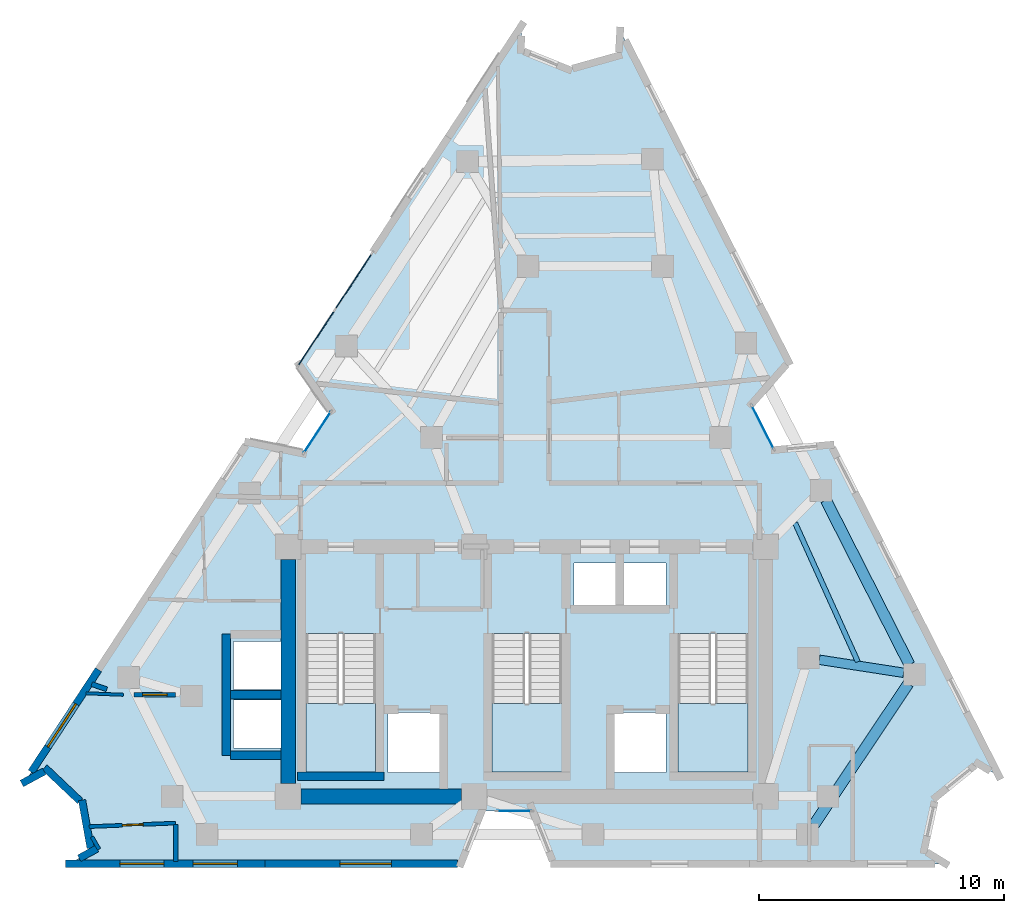
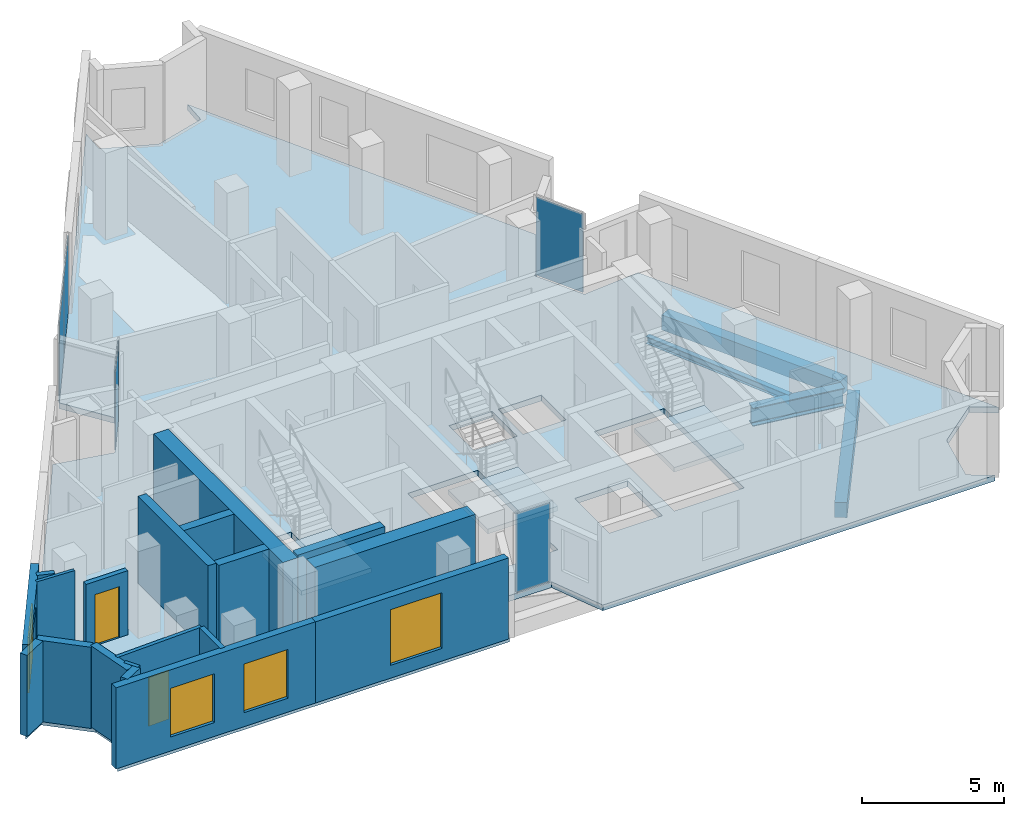
# One storey, part 4 of 8: 19 walls, 5 plates, 4 beams, 4 slabs, 4 windows, 2 doors, 6 openings, 7 elements without a shape of their own.
"""IFC4 building model written with IfcOpenShell, lengths in metres."""

from ifc_helpers import new_model, si_unit, direction, frame, frame_2d, origin, origin_2d, place, context, subcontext, project, spatial, polyline, rectangle, i_section, outline, extrude, material, layer, layer_set, material_profile, profile_set, type_object, element, fill, aggregate, save


model = new_model("IFC4")

# Units and contexts
model_context = context("Model", 3, precision=1e-05, world=origin(), true_north=direction((0.0, 1.0)))
body_context = subcontext(model_context, "Body", "Model", "MODEL_VIEW")
ifc_project = project(units=[si_unit("LENGTHUNIT", "METRE"), si_unit("AREAUNIT", "SQUARE_METRE"), si_unit("VOLUMEUNIT", "CUBIC_METRE"), si_unit("PLANEANGLEUNIT", "RADIAN"), si_unit("MASSUNIT", "GRAM", prefix="KILO")], contexts=[model_context])

# Site, building, storey
site_placement = place(None, origin())
site = spatial("IfcSite", under=ifc_project, at=site_placement, CompositionType="ELEMENT")
building_placement = place(site_placement, origin())
building = spatial("IfcBuilding", under=site, at=building_placement, Name="Almagre Mirador Tower", CompositionType="ELEMENT")
storey_placement = place(building_placement, frame((0.0, 0.0, 240.75)))
storey = spatial("IfcBuildingStorey", under=building, at=storey_placement, Name="L62", CompositionType="ELEMENT", Elevation=240.75)

# Beams
ifc_material_1 = material(Name="Steel ASTM A992 Grade 50", Category="steel")
ifc_material_profile_1 = material_profile(ifc_material_1, i_section(OverallWidth=0.205078125, OverallDepth=0.31005859375, WebThickness=0.009521484375, FlangeThickness=0.016357421875, FilletRadius=0.013916015625, at=origin_2d()), Name="W12X50")
ifc_profile_set_1 = profile_set([ifc_material_profile_1], Name="Steel ASTM A992 Grade 50")
beam_type_1 = type_object("IfcBeamType", Name="BM-JST-W12X50", PredefinedType="JOIST", material=ifc_profile_set_1)
beam_1_placement = place(storey_placement, frame((50.816162109375, 10.050048828125, -0.405029296875), z_axis=(-0.411980949435, 0.91119245898, 0.0), x_axis=(-0.91119245898, -0.411980949435, 0.0)))
element("IfcBeam", 1, at=beam_1_placement, inside=storey, type_object=beam_type_1, Name="L62 secondary floor joist PC05-PC06.2", PredefinedType="JOIST", context=body_context, shape_type="SweptSolid", body=[
    extrude(i_section(OverallWidth=0.205078125, OverallDepth=0.31005859375, WebThickness=0.009521484375, FlangeThickness=0.016357421875, FilletRadius=0.013916015625, at=origin_2d()), origin(), (0.0, 0.0, 1.0), 6.2216796875),
])
ifc_material_2 = material(Name="Precast concrete C50/60", Category="concrete")
ifc_material_profile_2 = material_profile(ifc_material_2, rectangle(XDim=0.449951171875, YDim=0.64990234375, at=origin_2d()), Name="RC450X650")
ifc_profile_set_2 = profile_set([ifc_material_profile_2], Name="Precast concrete C50/60")
beam_type_2 = type_object("IfcBeamType", Name="BM-SPN-RC450X650", PredefinedType="SPANDREL", material=ifc_profile_set_2)
beam_2_placement = place(storey_placement, frame((49.01416015625, 3.3740234375, -0.574951171875), z_axis=(0.555688352968, 0.831390674939, 0.0), x_axis=(-0.831390674939, 0.555688352968, 0.0)))
element("IfcBeam", 2, at=beam_2_placement, inside=storey, type_object=beam_type_2, Name="L62 perimeter spandrel beam PC04-PC05", PredefinedType="SPANDREL", context=body_context, shape_type="SweptSolid", body=[
    extrude(rectangle(XDim=0.449951171875, YDim=0.64990234375, at=origin_2d()), origin(), (0.0, 0.0, 1.0), 6.953125),
])
beam_3_placement = place(storey_placement, frame((52.92431640625, 9.93017578125, -0.574951171875), z_axis=(-0.452920240804, 0.891551039184, 0.0), x_axis=(-0.891551039184, -0.452920240804, 0.0)))
element("IfcBeam", 3, at=beam_3_placement, inside=storey, type_object=beam_type_2, Name="L62 perimeter spandrel beam PC05-PC06", PredefinedType="SPANDREL", context=body_context, shape_type="SweptSolid", body=[
    extrude(rectangle(XDim=0.449951171875, YDim=0.64990234375, at=origin_2d()), origin(), (0.0, 0.0, 1.0), 7.53466796875),
])
ifc_material_3 = material(Name="Steel ASTM A992 Grade 50", Category="steel")
ifc_material_profile_3 = material_profile(ifc_material_3, i_section(OverallWidth=0.384033203125, OverallDepth=0.784912109375, WebThickness=0.019775390625, FlangeThickness=0.033447265625, FilletRadius=0.02392578125, at=origin_2d()), Name="W30X211")
ifc_profile_set_3 = profile_set([ifc_material_profile_3], Name="Steel ASTM A992 Grade 50")
beam_type_3 = type_object("IfcBeamType", Name="BM-STL-W30X211", PredefinedType="BEAM", material=ifc_profile_set_3)
beam_4_placement = place(storey_placement, frame((52.683349609375, 9.597900390625, -0.642578125), z_axis=(-0.988190943166, 0.153227477449, 0.0), x_axis=(-0.153227477449, -0.988190943166, 0.0)))
element("IfcBeam", 4, at=beam_4_placement, inside=storey, type_object=beam_type_3, Name="L62 radial floor girder PC05-MC3", PredefinedType="BEAM", context=body_context, shape_type="SweptSolid", body=[
    extrude(i_section(OverallWidth=0.384033203125, OverallDepth=0.784912109375, WebThickness=0.019775390625, FlangeThickness=0.033447265625, FilletRadius=0.02392578125, at=origin_2d()), origin(), (0.0, 0.0, 1.0), 3.479736328125),
])

# Curtain wall, plate
ifc_material_4 = material(Name="Black anodized aluminium", Category="aluminium")
ifc_layer_1 = layer(ifc_material_4, 0.169921875)
ifc_layer_set_1 = layer_set([ifc_layer_1], Name="Black anodized aluminium")
curtain_wall_type_1 = type_object("IfcCurtainWallType", Name="CW-CRS-SYS", PredefinedType="NOTDEFINED", material=ifc_layer_set_1)
curtain_wall_1_placement = place(storey_placement, origin())
curtain_wall_1 = element("IfcCurtainWall", 5, at=curtain_wall_1_placement, inside=storey, type_object=curtain_wall_type_1, Name="L62 vertical crease curtain wall 01", PredefinedType="NOTDEFINED")
ifc_material_5 = material(Name="Dark solar-control laminated hurricane glass", Category="glass")
ifc_layer_2 = layer(ifc_material_5, 0.028076171875)
ifc_layer_set_2 = layer_set([ifc_layer_2], Name="Dark solar-control laminated hurricane glass")
plate_type_1 = type_object("IfcPlateType", Name="PLT-GLZ-28", PredefinedType="CURTAIN_PANEL", material=ifc_layer_set_2)
plate_1_placement = place(storey_placement, frame((28.7470703125, 19.41943359375, 0.06005859375), z_axis=(0.0, 0.0, 1.0), x_axis=(0.549168341049, 0.835711752454, 0.0)))
plate_1 = element("IfcPlate", 6, at=plate_1_placement, type_object=plate_type_1, Name="CW-4 panel 1.1", PredefinedType="CURTAIN_PANEL", context=body_context, shape_type="SweptSolid", body=[
    extrude(rectangle(XDim=1.970458984375, YDim=0.028076171875, at=origin_2d()), origin(), (0.0, 0.0, 1.0), 3.3798828125),
])
aggregate(curtain_wall_1, [plate_1])

curtain_wall_2_placement = place(storey_placement, origin())
curtain_wall_2 = element("IfcCurtainWall", 7, at=curtain_wall_2_placement, inside=storey, type_object=curtain_wall_type_1, Name="L62 vertical crease curtain wall 03", PredefinedType="NOTDEFINED")
plate_2_placement = place(storey_placement, frame((46.93310546875, 19.62646484375, 0.06005859375), z_axis=(0.0, 0.0, 1.0), x_axis=(0.452756754504, -0.891634073626, 0.0)))
plate_2 = element("IfcPlate", 8, at=plate_2_placement, type_object=plate_type_1, Name="CW-4 panel 1.1", PredefinedType="CURTAIN_PANEL", context=body_context, shape_type="SweptSolid", body=[
    extrude(rectangle(XDim=1.969482421875, YDim=0.028076171875, at=origin_2d()), origin(), (0.0, 0.0, 1.0), 3.3798828125),
])
aggregate(curtain_wall_2, [plate_2])

curtain_wall_3_placement = place(storey_placement, origin())
curtain_wall_3 = element("IfcCurtainWall", 9, at=curtain_wall_3_placement, inside=storey, type_object=curtain_wall_type_1, Name="L62 vertical crease curtain wall 04", PredefinedType="NOTDEFINED")
plate_3_placement = place(storey_placement, frame((36.7900390625, 3.949951171875, 0.06005859375), z_axis=(0.0, 0.0, 1.0), x_axis=(-1.0, 0.0, 0.0)))
plate_3 = element("IfcPlate", 10, at=plate_3_placement, type_object=plate_type_1, Name="CW-4 panel 1.1", PredefinedType="CURTAIN_PANEL", context=body_context, shape_type="SweptSolid", body=[
    extrude(rectangle(XDim=1.389892578125, YDim=0.028076171875, at=origin_2d()), origin(), (0.0, 0.0, 1.0), 3.3798828125),
])
aggregate(curtain_wall_3, [plate_3])

# Curtain wall, plates
ifc_material_6 = material(Name="Black anodized aluminium", Category="aluminium")
ifc_layer_3 = layer(ifc_material_6, 0.199951171875)
ifc_layer_set_3 = layer_set([ifc_layer_3], Name="Black anodized aluminium")
curtain_wall_type_2 = type_object("IfcCurtainWallType", Name="CW-RES-H-SYS", PredefinedType="NOTDEFINED", material=ifc_layer_set_3)
curtain_wall_4_placement = place(storey_placement, origin())
curtain_wall_4 = element("IfcCurtainWall", 11, at=curtain_wall_4_placement, inside=storey, type_object=curtain_wall_type_2, Name="L62 curtain wall run 02", PredefinedType="NOTDEFINED")
ifc_material_7 = material(Name="Dark solar-control laminated hurricane glass", Category="glass")
ifc_layer_4 = layer(ifc_material_7, 0.035888671875)
ifc_layer_set_4 = layer_set([ifc_layer_4], Name="Dark solar-control laminated hurricane glass")
plate_type_2 = type_object("IfcPlateType", Name="PLT-GLZ-36", PredefinedType="CURTAIN_PANEL", material=ifc_layer_set_4)
plate_4_placement = place(storey_placement, frame((28.697021484375, 23.259765625, 0.06494140625), z_axis=(0.0, 0.0, 1.0), x_axis=(0.549062582798, 0.835781239423, 0.0)))
plate_4 = element("IfcPlate", 12, at=plate_4_placement, type_object=plate_type_2, Name="CW-3 panel 1.1", PredefinedType="CURTAIN_PANEL", context=body_context, shape_type="SweptSolid", body=[
    extrude(rectangle(XDim=2.71484375, YDim=0.035888671875, at=origin_2d()), origin(), (0.0, 0.0, 1.0), 3.3701171875),
])
plate_5_placement = place(storey_placement, frame((30.223388671875, 25.583251953125, 0.06494140625), z_axis=(0.0, 0.0, 1.0), x_axis=(0.549062582798, 0.835781239423, 0.0)))
plate_5 = element("IfcPlate", 13, at=plate_5_placement, type_object=plate_type_2, Name="CW-3 panel 2.1", PredefinedType="CURTAIN_PANEL", context=body_context, shape_type="SweptSolid", body=[
    extrude(rectangle(XDim=2.71484375, YDim=0.035888671875, at=origin_2d()), origin(), (0.0, 0.0, 1.0), 3.3701171875),
])
aggregate(curtain_wall_4, [plate_4, plate_5])

# Slab
ifc_material_8 = material(Name="Concrete C45/55", Category="concrete")
ifc_layer_5 = layer(ifc_material_8, 0.25)
ifc_layer_set_5 = layer_set([ifc_layer_5], Name="Concrete C45/55")
slab_type_1 = type_object("IfcSlabType", Name="SLB-FLR-250", PredefinedType="FLOOR", material=ifc_layer_set_5)
slab_1_placement = place(storey_placement, frame((0.0, 0.0, -0.25)))
element("IfcSlab", 14, at=slab_1_placement, inside=storey, type_object=slab_type_1, Name="L62 structural floor slab", PredefinedType="FLOOR", context=body_context, shape_type="SweptSolid", body=[
    extrude(outline(polyline([(16.7958984375, 5.14306640625), (17.70703125, 5.635009765625), (19.158935546875, 4.260009765625), (19.510986328125, 2.291015625), (18.60009765625, 1.800048828125), (34.60009765625, 1.800048828125), (35.455078125, 3.949951171875), (37.544921875, 3.949951171875), (38.39990234375, 1.800048828125), (54.39990234375, 1.800048828125), (53.51806640625, 2.341064453125), (53.985107421875, 4.509033203125), (55.7060546875, 5.907958984375), (56.587890625, 5.365966796875), (49.7109375, 18.906005859375), (47.406005859375, 18.695068359375), (46.4599609375, 20.55810546875), (47.989013671875, 22.2939453125), (41.112060546875, 35.833984375), (41.053955078125, 34.800048828125), (39.011962890625, 34.22802734375), (37.0458984375, 35.02294921875), (37.10400390625, 36.056884765625), (27.992919921875, 22.18798828125), (29.321044921875, 20.29296875), (28.173095703125, 18.5458984375), (25.906982421875, 19.011962890625), (16.7958984375, 5.14306640625)]), holes=[polyline([(43.47509765625, 5.550048828125), (43.47509765625, 11.196044921875), (46.324951171875, 11.196044921875), (46.324951171875, 5.550048828125), (43.47509765625, 5.550048828125)]), polyline([(41.219970703125, 12.320068359375), (41.219970703125, 14.080078125), (42.97998046875, 14.080078125), (42.97998046875, 12.320068359375), (41.219970703125, 12.320068359375)]), polyline([(42.97998046875, 5.52001953125), (40.820068359375, 5.52001953125), (40.820068359375, 7.97998046875), (42.97998046875, 7.97998046875), (42.97998046875, 5.52001953125)]), polyline([(39.219970703125, 12.320068359375), (39.219970703125, 14.080078125), (40.97998046875, 14.080078125), (40.97998046875, 12.320068359375), (39.219970703125, 12.320068359375)]), polyline([(35.875, 5.550048828125), (35.875, 11.196044921875), (38.72509765625, 11.196044921875), (38.72509765625, 5.550048828125), (35.875, 5.550048828125)]), polyline([(33.780029296875, 5.52001953125), (31.6201171875, 5.52001953125), (31.6201171875, 7.97998046875), (33.780029296875, 7.97998046875), (33.780029296875, 5.52001953125)]), polyline([(28.27490234375, 5.550048828125), (28.27490234375, 11.196044921875), (31.125, 11.196044921875), (31.125, 5.550048828125), (28.27490234375, 5.550048828125)]), polyline([(27.3798828125, 6.52001953125), (25.320068359375, 6.52001953125), (25.320068359375, 8.47998046875), (27.3798828125, 8.47998046875), (27.3798828125, 6.52001953125)]), polyline([(27.3798828125, 8.919921875), (25.320068359375, 8.919921875), (25.320068359375, 10.8798828125), (27.3798828125, 10.8798828125), (27.3798828125, 8.919921875)])]), origin(), (0.0, 0.0, 1.0), 0.25),
])

# Stair, slab
ifc_material_9 = material(Name="Concrete C45/55", Category="concrete")
stair_type = type_object("IfcStairType", Name="STR-DL-3750", PredefinedType="HALF_TURN_STAIR", material=ifc_material_9)
stair_1_placement = place(storey_placement, origin())
stair_1 = element("IfcStair", 15, at=stair_1_placement, inside=storey, type_object=stair_type, Name="L62 Protected exit stair ST-1", PredefinedType="HALF_TURN_STAIR")
ifc_material_10 = material(Name="Concrete C45/55", Category="concrete")
ifc_layer_6 = layer(ifc_material_10, 0.199951171875)
ifc_layer_set_6 = layer_set([ifc_layer_6], Name="Concrete C45/55")
slab_type_2 = type_object("IfcSlabType", Name="SLB-LND-200", PredefinedType="LANDING", material=ifc_layer_set_6)
slab_2_placement = place(storey_placement, frame((0.0, 0.0, 1.675048828125)))
slab_2 = element("IfcSlab", 16, at=slab_2_placement, type_object=slab_type_2, Name="ST-1 landing 1", PredefinedType="LANDING", context=body_context, shape_type="SweptSolid", body=[
    extrude(outline(polyline([(28.27490234375, 8.35009765625), (28.27490234375, 5.550048828125), (31.125, 5.550048828125), (31.125, 8.35009765625), (28.27490234375, 8.35009765625)])), origin(), (0.0, 0.0, 1.0), 0.199951171875),
])
aggregate(stair_1, [slab_2])

stair_2_placement = place(storey_placement, origin())
stair_2 = element("IfcStair", 17, at=stair_2_placement, inside=storey, type_object=stair_type, Name="L62 Protected exit stair ST-2", PredefinedType="HALF_TURN_STAIR")
slab_3_placement = place(storey_placement, frame((0.0, 0.0, 1.675048828125)))
slab_3 = element("IfcSlab", 18, at=slab_3_placement, type_object=slab_type_2, Name="ST-2 landing 1", PredefinedType="LANDING", context=body_context, shape_type="SweptSolid", body=[
    extrude(outline(polyline([(35.875, 8.35009765625), (35.875, 5.550048828125), (38.72509765625, 5.550048828125), (38.72509765625, 8.35009765625), (35.875, 8.35009765625)])), origin(), (0.0, 0.0, 1.0), 0.199951171875),
])
aggregate(stair_2, [slab_3])

stair_3_placement = place(storey_placement, origin())
stair_3 = element("IfcStair", 19, at=stair_3_placement, inside=storey, type_object=stair_type, Name="L62 Protected exit stair ST-3", PredefinedType="HALF_TURN_STAIR")
slab_4_placement = place(storey_placement, frame((0.0, 0.0, 1.675048828125)))
slab_4 = element("IfcSlab", 20, at=slab_4_placement, type_object=slab_type_2, Name="ST-3 landing 1", PredefinedType="LANDING", context=body_context, shape_type="SweptSolid", body=[
    extrude(outline(polyline([(43.47509765625, 8.35009765625), (43.47509765625, 5.550048828125), (46.324951171875, 5.550048828125), (46.324951171875, 8.35009765625), (43.47509765625, 8.35009765625)])), origin(), (0.0, 0.0, 1.0), 0.199951171875),
])
aggregate(stair_3, [slab_4])

# Wall, opening, window
ifc_material_11 = material(Name="Precast concrete C50/60", Category="concrete")
ifc_layer_7 = layer(ifc_material_11, 0.300048828125)
ifc_layer_set_7 = layer_set([ifc_layer_7], Name="Precast concrete C50/60")
wall_type_1 = type_object("IfcWallType", Name="WAL-EXT-300", PredefinedType="SOLIDWALL", material=ifc_layer_set_7)
wall_1_placement = place(storey_placement, frame((34.465087890625, 1.800048828125, 0.0), z_axis=(0.0, 0.0, 1.0), x_axis=(-1.0, 0.0, 0.0)))
wall_1 = element("IfcWall", 21, at=wall_1_placement, inside=storey, type_object=wall_type_1, Name="L62 expressed almagre precast frame wall 23", PredefinedType="SOLIDWALL", context=body_context, shape_type="SweptSolid", body=[
    extrude(rectangle(XDim=7.864990234375, YDim=0.300048828125, at=frame_2d((3.9326171875, 0.0))), origin(), (0.0, 0.0, 1.0), 3.5),
])
opening_1_placement = place(wall_1_placement, frame((2.699951171875, 0.0, 0.550048828125)))
opening_1 = element("IfcOpeningElement", 22, at=opening_1_placement, cuts=wall_1, Name="Opening WN-05", PredefinedType="OPENING", context=body_context, shape_type="SweptSolid", body=[
    extrude(rectangle(XDim=2.10009765625, YDim=2.39990234375, at=frame_2d((1.050048828125, 1.199951171875))), frame((0.0, 0.159902, 0.0), z_axis=(0.0, -1.0, 0.0), x_axis=(1.0, 0.0, 0.0)), (0.0, 0.0, 1.0), 0.320049),
])
ifc_material_12 = material(Name="Dark solar-control laminated hurricane glass", Category="glass")
window_type_1 = type_object("IfcWindowType", Name="WIN-2100X2400", PartitioningType="DOUBLE_PANEL_VERTICAL", PredefinedType="WINDOW", material=ifc_material_12)
window_1_placement = place(opening_1_placement, origin())
window_1 = element("IfcWindow", 23, at=window_1_placement, inside=storey, type_object=window_type_1, Name="L62 recessed hurricane window L62-UB-ST", OverallHeight=2.39990234375, OverallWidth=2.10009765625, PartitioningType="SINGLE_PANEL", PredefinedType="WINDOW", context=body_context, shape_type="SweptSolid", body=[
    extrude(rectangle(XDim=2.10009765625, YDim=2.39990234375, at=frame_2d((1.050048828125, 1.199951171875))), frame((0.0, 0.030029296875, 0.0), z_axis=(0.0, -1.0, 0.0), x_axis=(1.0, 0.0, 0.0)), (0.0, 0.0, 1.0), 0.06005859375),
])
fill(opening_1, window_1)

# Wall, openings, windows
wall_2_placement = place(storey_placement, frame((26.60009765625, 1.800048828125, 0.0), z_axis=(0.0, 0.0, 1.0), x_axis=(-1.0, 0.0, 0.0)))
wall_2 = element("IfcWall", 24, at=wall_2_placement, inside=storey, type_object=wall_type_1, Name="L62 expressed almagre precast frame wall 24", PredefinedType="SOLIDWALL", context=body_context, shape_type="SweptSolid", body=[
    extrude(rectangle(XDim=8.14013671875, YDim=0.300048828125, at=frame_2d((4.070068359375, 0.0))), origin(), (0.0, 0.0, 1.0), 3.5),
])
opening_2_placement = place(wall_2_placement, frame((4.125, 0.0, 0.60009765625)))
opening_2 = element("IfcOpeningElement", 25, at=opening_2_placement, cuts=wall_2, Name="Opening WN-01", PredefinedType="OPENING", context=body_context, shape_type="SweptSolid", body=[
    extrude(rectangle(XDim=1.800048828125, YDim=2.10009765625, at=frame_2d((0.89990234375, 1.050048828125))), frame((0.0, 0.159902, 0.0), z_axis=(0.0, -1.0, 0.0), x_axis=(1.0, 0.0, 0.0)), (0.0, 0.0, 1.0), 0.320049),
])
opening_3_placement = place(wall_2_placement, frame((1.125, 0.0, 0.60009765625)))
opening_3 = element("IfcOpeningElement", 26, at=opening_3_placement, cuts=wall_2, Name="Opening WN-01", PredefinedType="OPENING", context=body_context, shape_type="SweptSolid", body=[
    extrude(rectangle(XDim=1.800048828125, YDim=2.10009765625, at=frame_2d((0.89990234375, 1.050048828125))), frame((0.0, 0.159902, 0.0), z_axis=(0.0, -1.0, 0.0), x_axis=(1.0, 0.0, 0.0)), (0.0, 0.0, 1.0), 0.320049),
])
ifc_material_13 = material(Name="Dark solar-control laminated hurricane glass", Category="glass")
window_type_2 = type_object("IfcWindowType", Name="WIN-1800X2100", PartitioningType="DOUBLE_PANEL_VERTICAL", PredefinedType="WINDOW", material=ifc_material_13)
window_2_placement = place(opening_2_placement, origin())
window_2 = element("IfcWindow", 27, at=window_2_placement, inside=storey, type_object=window_type_2, Name="L62 recessed hurricane window L62-UA-BT", OverallHeight=2.10009765625, OverallWidth=1.800048828125, PartitioningType="SINGLE_PANEL", PredefinedType="WINDOW", context=body_context, shape_type="SweptSolid", body=[
    extrude(rectangle(XDim=1.800048828125, YDim=2.10009765625, at=frame_2d((0.89990234375, 1.050048828125))), frame((0.0, 0.030029296875, 0.0), z_axis=(0.0, -1.0, 0.0), x_axis=(1.0, 0.0, 0.0)), (0.0, 0.0, 1.0), 0.06005859375),
])
fill(opening_2, window_2)
window_3_placement = place(opening_3_placement, origin())
window_3 = element("IfcWindow", 28, at=window_3_placement, inside=storey, type_object=window_type_2, Name="L62 recessed hurricane window L62-UB-BT", OverallHeight=2.10009765625, OverallWidth=1.800048828125, PartitioningType="SINGLE_PANEL", PredefinedType="WINDOW", context=body_context, shape_type="SweptSolid", body=[
    extrude(rectangle(XDim=1.800048828125, YDim=2.10009765625, at=frame_2d((0.89990234375, 1.050048828125))), frame((0.0, 0.030029296875, 0.0), z_axis=(0.0, -1.0, 0.0), x_axis=(1.0, 0.0, 0.0)), (0.0, 0.0, 1.0), 0.06005859375),
])
fill(opening_3, window_3)

# Walls
wall_3_placement = place(storey_placement, frame((19.018310546875, 2.025390625, 0.0), z_axis=(0.0, 0.0, 1.0), x_axis=(0.880196276444, 0.474609855496, 0.0)))
element("IfcWall", 29, at=wall_3_placement, inside=storey, type_object=wall_type_1, Name="L62 expressed almagre precast frame wall 25", PredefinedType="SOLIDWALL", context=body_context, shape_type="SweptSolid", body=[
    extrude(rectangle(XDim=0.82763671875, YDim=0.300048828125, at=frame_2d((0.413818359375, 0.0))), origin(), (0.0, 0.0, 1.0), 3.5),
])
wall_4_placement = place(storey_placement, frame((19.484619140625, 2.438720703125, 0.0), z_axis=(0.0, 0.0, 1.0), x_axis=(-0.175926512458, 0.984403302623, 0.0)))
element("IfcWall", 30, at=wall_4_placement, inside=storey, type_object=wall_type_1, Name="L62 expressed almagre precast frame wall 26", PredefinedType="SOLIDWALL", context=body_context, shape_type="SweptSolid", body=[
    extrude(rectangle(XDim=1.989990234375, YDim=0.300048828125, at=frame_2d((0.9951171875, 0.0))), origin(), (0.0, 0.0, 1.0), 3.5),
])
wall_5_placement = place(storey_placement, frame((19.0537109375, 4.359619140625, 0.0), z_axis=(0.0, 0.0, 1.0), x_axis=(-0.726119894398, 0.68756810496, 0.0)))
element("IfcWall", 31, at=wall_5_placement, inside=storey, type_object=wall_type_1, Name="L62 expressed almagre precast frame wall 27", PredefinedType="SOLIDWALL", context=body_context, shape_type="SweptSolid", body=[
    extrude(rectangle(XDim=1.994873046875, YDim=0.300048828125, at=frame_2d((0.99755859375, 0.0))), origin(), (0.0, 0.0, 1.0), 3.5),
])
wall_6_placement = place(storey_placement, frame((17.592529296875, 5.5732421875, 0.0), z_axis=(0.0, 0.0, 1.0), x_axis=(-0.879825313212, -0.475297189378, 0.0)))
element("IfcWall", 32, at=wall_6_placement, inside=storey, type_object=wall_type_1, Name="L62 expressed almagre precast frame wall 28", PredefinedType="SOLIDWALL", context=body_context, shape_type="SweptSolid", body=[
    extrude(rectangle(XDim=1.04541015625, YDim=0.300048828125, at=frame_2d((0.522705078125, 0.0))), origin(), (0.0, 0.0, 1.0), 3.5),
])

# Wall, opening, window
wall_7_placement = place(storey_placement, frame((17.062255859375, 5.54833984375, 0.0), z_axis=(0.0, 0.0, 1.0), x_axis=(0.549053158856, 0.835787430361, 0.0)))
wall_7 = element("IfcWall", 33, at=wall_7_placement, inside=storey, type_object=wall_type_1, Name="L62 expressed almagre precast frame wall 29", PredefinedType="SOLIDWALL", context=body_context, shape_type="SweptSolid", body=[
    extrude(rectangle(XDim=4.999755859375, YDim=0.300048828125, at=frame_2d((2.5, 0.0))), origin(), (0.0, 0.0, 1.0), 3.5),
])
opening_4_placement = place(wall_7_placement, frame((1.22509765625, 0.0, 0.550048828125)))
opening_4 = element("IfcOpeningElement", 34, at=opening_4_placement, cuts=wall_7, Name="Opening WN-05", PredefinedType="OPENING", context=body_context, shape_type="SweptSolid", body=[
    extrude(rectangle(XDim=2.10009765625, YDim=2.39990234375, at=frame_2d((1.050048828125, 1.199951171875))), frame((0.0, 0.159902, 0.0), z_axis=(0.0, -1.0, 0.0), x_axis=(1.0, 0.0, 0.0)), (0.0, 0.0, 1.0), 0.320049),
])
window_4_placement = place(opening_4_placement, origin())
window_4 = element("IfcWindow", 35, at=window_4_placement, inside=storey, type_object=window_type_1, Name="L62 recessed hurricane window L62-UA-KT", OverallHeight=2.39990234375, OverallWidth=2.10009765625, PartitioningType="SINGLE_PANEL", PredefinedType="WINDOW", context=body_context, shape_type="SweptSolid", body=[
    extrude(rectangle(XDim=2.10009765625, YDim=2.39990234375, at=frame_2d((1.050048828125, 1.199951171875))), frame((0.0, 0.030029296875, 0.0), z_axis=(0.0, -1.0, 0.0), x_axis=(1.0, 0.0, 0.0)), (0.0, 0.0, 1.0), 0.06005859375),
])
fill(opening_4, window_4)

# Wall
ifc_material_14 = material(Name="Gypsum acoustic stud partition", Category="other")
ifc_layer_8 = layer(ifc_material_14, 0.125)
ifc_layer_set_8 = layer_set([ifc_layer_8], Name="Gypsum acoustic stud partition")
wall_type_2 = type_object("IfcWallType", Name="WAL-PRT-125-UTL", PredefinedType="PARTITIONING", material=ifc_layer_set_8)
wall_8_placement = place(storey_placement, frame((20.820068359375, 8.699951171875, 0.0), z_axis=(0.0, 0.0, 1.0), x_axis=(-0.999136974993, 0.041536793353, 0.0)))
element("IfcWall", 36, at=wall_8_placement, inside=storey, type_object=wall_type_2, Name="L62 interior partition 063", PredefinedType="PARTITIONING", context=body_context, shape_type="SweptSolid", body=[
    extrude(rectangle(XDim=1.516357421875, YDim=0.125, at=frame_2d((0.75830078125, 0.0))), origin(), (0.0, 0.0, 1.0), 3.5),
])

# Wall, opening, door
ifc_material_15 = material(Name="Gypsum acoustic stud partition", Category="other")
ifc_layer_9 = layer(ifc_material_15, 0.14990234375)
ifc_layer_set_9 = layer_set([ifc_layer_9], Name="Gypsum acoustic stud partition")
wall_type_3 = type_object("IfcWallType", Name="WAL-PRT-150-STD", PredefinedType="PARTITIONING", material=ifc_layer_set_9)
wall_9_placement = place(storey_placement, frame((19.427978515625, 3.31591796875, 0.0), z_axis=(0.0, 0.0, 1.0), x_axis=(0.999169430966, 0.040748597793, 0.0)))
wall_9 = element("IfcWall", 37, at=wall_9_placement, inside=storey, type_object=wall_type_3, Name="L62 interior partition 017", PredefinedType="PARTITIONING", context=body_context, shape_type="SweptSolid", body=[
    extrude(rectangle(XDim=3.534912109375, YDim=0.14990234375, at=frame_2d((1.767578125, 0.0))), origin(), (0.0, 0.0, 1.0), 3.5),
])
opening_5_placement = place(wall_9_placement, frame((1.3525390625, 0.0, 0.0)))
opening_5 = element("IfcOpeningElement", 38, at=opening_5_placement, cuts=wall_9, Name="Opening UD-04", PredefinedType="OPENING", context=body_context, shape_type="SweptSolid", body=[
    extrude(rectangle(XDim=0.85009765625, YDim=2.10009765625, at=frame_2d((0.425048828125, 1.050048828125))), frame((0.0, 0.084951, 0.0), z_axis=(0.0, -1.0, 0.0), x_axis=(1.0, 0.0, 0.0)), (0.0, 0.0, 1.0), 0.169902),
])
ifc_material_16 = material(Name="Moisture-resistant oak timber", Category="wood")
door_type_1 = type_object("IfcDoorType", Name="DOR-UNR-850X2100", OperationType="NOTDEFINED", PredefinedType="DOOR", material=ifc_material_16)
door_1_placement = place(opening_5_placement, origin())
door_1 = element("IfcDoor", 39, at=door_1_placement, inside=storey, type_object=door_type_1, Name="DR-1915 L62 interior door L62-UA-ST to L62-UA-BT", OperationType="SINGLE_SWING_RIGHT", OverallHeight=2.10009765625, OverallWidth=0.85009765625, PredefinedType="DOOR", context=body_context, shape_type="SweptSolid", body=[
    extrude(rectangle(XDim=0.85009765625, YDim=2.10009765625, at=frame_2d((0.425048828125, 1.050048828125))), frame((0.0, 0.02490234375, 0.0), z_axis=(0.0, -1.0, 0.0), x_axis=(1.0, 0.0, 0.0)), (0.0, 0.0, 1.0), 0.050048828125),
])
fill(opening_5, door_1)

# Walls
wall_10_placement = place(storey_placement, frame((19.535888671875, 2.902099609375, 0.0), z_axis=(0.0, 0.0, 1.0), x_axis=(0.501427298818, -0.865199782709, 0.0)))
element("IfcWall", 40, at=wall_10_placement, inside=storey, type_object=wall_type_3, Name="L62 interior partition 068", PredefinedType="PARTITIONING", context=body_context, shape_type="SweptSolid", body=[
    extrude(rectangle(XDim=0.590576171875, YDim=0.14990234375, at=frame_2d((0.29541015625, 0.0))), origin(), (0.0, 0.0, 1.0), 3.5),
])
ifc_material_17 = material(Name="Gypsum acoustic stud partition", Category="other")
ifc_layer_10 = layer(ifc_material_17, 0.199951171875)
ifc_layer_set_10 = layer_set([ifc_layer_10], Name="Gypsum acoustic stud partition")
wall_type_4 = type_object("IfcWallType", Name="WAL-PRT-200-EI60", PredefinedType="PARTITIONING", material=ifc_layer_set_10)
wall_11_placement = place(storey_placement, frame((20.14892578125, 8.924560546875, 0.0), z_axis=(0.0, 0.0, 1.0), x_axis=(-0.946606200233, 0.322392155117, 0.0)))
element("IfcWall", 41, at=wall_11_placement, inside=storey, type_object=wall_type_4, Name="L62 interior partition 019", PredefinedType="PARTITIONING", context=body_context, shape_type="SweptSolid", body=[
    extrude(rectangle(XDim=0.65283203125, YDim=0.199951171875, at=frame_2d((0.326416015625, 0.0))), origin(), (0.0, 0.0, 1.0), 3.5),
])

# Wall, opening, door
wall_12_placement = place(storey_placement, frame((22.9599609375, 8.699951171875, 0.0), z_axis=(0.0, 0.0, 1.0), x_axis=(-1.0, 0.0, 0.0)))
wall_12 = element("IfcWall", 42, at=wall_12_placement, inside=storey, type_object=wall_type_4, Name="L62 interior partition 020", PredefinedType="PARTITIONING", context=body_context, shape_type="SweptSolid", body=[
    extrude(rectangle(XDim=1.699951171875, YDim=0.199951171875, at=frame_2d((0.85009765625, 0.0))), origin(), (0.0, 0.0, 1.0), 2.763916015625),
])
opening_6_placement = place(wall_12_placement, frame((0.35009765625, 0.0, 0.0)))
opening_6 = element("IfcOpeningElement", 43, at=opening_6_placement, cuts=wall_12, Name="Opening ID-01", PredefinedType="OPENING", context=body_context, shape_type="SweptSolid", body=[
    extrude(rectangle(XDim=1.0, YDim=2.199951171875, at=frame_2d((0.5, 1.10009765625))), frame((0.0, 0.110098, 0.0), z_axis=(0.0, -1.0, 0.0), x_axis=(1.0, 0.0, 0.0)), (0.0, 0.0, 1.0), 0.219951),
])
ifc_material_18 = material(Name="Fire-rated walnut timber", Category="wood")
door_type_2 = type_object("IfcDoorType", Name="DOR-FD60-1000X2200", OperationType="NOTDEFINED", PredefinedType="DOOR", material=ifc_material_18)
door_2_placement = place(opening_6_placement, origin())
door_2 = element("IfcDoor", 44, at=door_2_placement, inside=storey, type_object=door_type_2, Name="DR-1924 L62 interior door L62-UA-ST to L62-UE-KT", OperationType="SINGLE_SWING_LEFT", OverallHeight=2.199951171875, OverallWidth=1.0, PredefinedType="DOOR", context=body_context, shape_type="SweptSolid", body=[
    extrude(rectangle(XDim=1.0, YDim=2.199951171875, at=frame_2d((0.5, 1.10009765625))), frame((0.0, 0.02490234375, 0.0), z_axis=(0.0, -1.0, 0.0), x_axis=(1.0, 0.0, 0.0)), (0.0, 0.0, 1.0), 0.050048828125),
])
fill(opening_6, door_2)

# Walls
wall_13_placement = place(storey_placement, frame((22.9599609375, 1.89990234375, 0.0), z_axis=(0.0, 0.0, 1.0), x_axis=(0.0, 1.0, 0.0)))
element("IfcWall", 45, at=wall_13_placement, inside=storey, type_object=wall_type_4, Name="L62 interior partition 022", PredefinedType="PARTITIONING", context=body_context, shape_type="SweptSolid", body=[
    extrude(rectangle(XDim=1.5, YDim=0.199951171875, at=frame_2d((0.75, 0.0))), origin(), (0.0, 0.0, 1.0), 3.5),
])
ifc_material_19 = material(Name="Concrete C60/75", Category="concrete")
ifc_layer_11 = layer(ifc_material_19, 0.35009765625)
ifc_layer_set_11 = layer_set([ifc_layer_11], Name="Concrete C60/75")
wall_type_5 = type_object("IfcWallType", Name="WAL-SHF-350", PredefinedType="SOLIDWALL", material=ifc_layer_set_11)
wall_14_placement = place(storey_placement, frame((27.925048828125, 5.375, 0.0), z_axis=(0.0, 0.0, 1.0), x_axis=(1.0, 0.0, 0.0)))
element("IfcWall", 46, at=wall_14_placement, inside=storey, type_object=wall_type_5, Name="L62 shaft wall ST1-S", PredefinedType="SOLIDWALL", context=body_context, shape_type="SweptSolid", body=[
    extrude(rectangle(XDim=3.550048828125, YDim=0.35009765625, at=frame_2d((1.77490234375, 0.0))), origin(), (0.0, 0.0, 1.0), 3.75),
])
wall_15_placement = place(storey_placement, frame((25.02490234375, 6.22509765625, 0.0), z_axis=(0.0, 0.0, 1.0), x_axis=(0.0, 1.0, 0.0)))
element("IfcWall", 47, at=wall_15_placement, inside=storey, type_object=wall_type_5, Name="L62 shaft wall OL-W", PredefinedType="SOLIDWALL", context=body_context, shape_type="SweptSolid", body=[
    extrude(rectangle(XDim=4.949951171875, YDim=0.35009765625, at=frame_2d((2.47509765625, 0.0))), origin(), (0.0, 0.0, 1.0), 3.75),
])
for number, where, z_axis, x_axis, name in (
    (48, (25.199951171875, 6.22509765625, 0.0), (0.0, 0.0, 1.0), (1.0, 0.0, 0.0), "L62 shaft wall OL-S"),
    (49, (25.199951171875, 8.699951171875, 0.0), (0.0, 0.0, 1.0), (1.0, 0.0, 0.0), "L62 shaft wall OL-M"),
):
    element("IfcWall", number, at=place(storey_placement, frame(where, z_axis=z_axis, x_axis=x_axis)), inside=storey, type_object=wall_type_5, Name=name, PredefinedType="SOLIDWALL", context=body_context, shape_type="SweptSolid", body=[
        extrude(rectangle(XDim=2.050048828125, YDim=0.35009765625, at=frame_2d((1.02490234375, 0.0))), origin(), (0.0, 0.0, 1.0), 3.75),
    ])
ifc_material_20 = material(Name="Concrete C60/75", Category="concrete")
ifc_layer_12 = layer(ifc_material_20, 0.60009765625)
ifc_layer_set_12 = layer_set([ifc_layer_12], Name="Concrete C60/75")
wall_type_6 = type_object("IfcWallType", Name="WAL-SHR-600", PredefinedType="SHEAR", material=ifc_layer_set_12)
wall_16_placement = place(storey_placement, frame((28.074951171875, 4.550048828125, 0.0), z_axis=(0.0, 0.0, 1.0), x_axis=(1.0, 0.0, 0.0)))
element("IfcWall", 50, at=wall_16_placement, inside=storey, type_object=wall_type_6, Name="L62 core shear wall S1", PredefinedType="SHEAR", context=body_context, shape_type="SweptSolid", body=[
    extrude(rectangle(XDim=6.550048828125, YDim=0.60009765625, at=frame_2d((3.27490234375, 0.0))), origin(), (0.0, 0.0, 1.0), 3.75),
])
wall_17_placement = place(storey_placement, frame((27.550048828125, 5.074951171875, 0.0), z_axis=(0.0, 0.0, 1.0), x_axis=(0.0, 1.0, 0.0)))
element("IfcWall", 51, at=wall_17_placement, inside=storey, type_object=wall_type_6, Name="L62 core shear wall W1", PredefinedType="SHEAR", context=body_context, shape_type="SweptSolid", body=[
    extrude(rectangle(XDim=9.150146484375, YDim=0.60009765625, at=frame_2d((4.5751953125, 0.0))), origin(), (0.0, 0.0, 1.0), 3.75),
])

save(model, "model.ifc")
